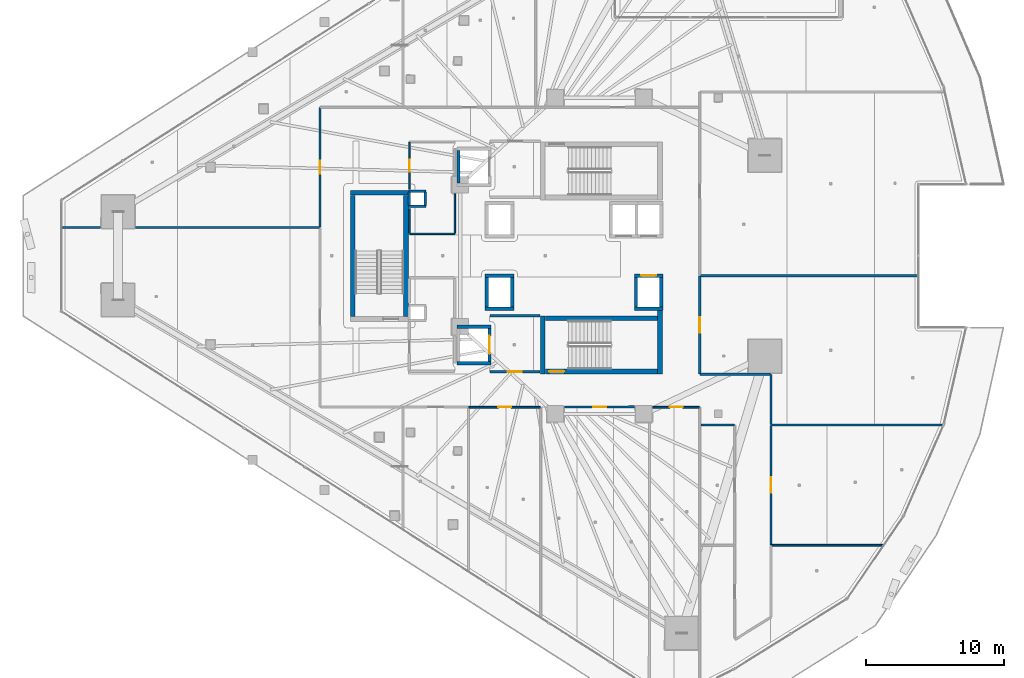
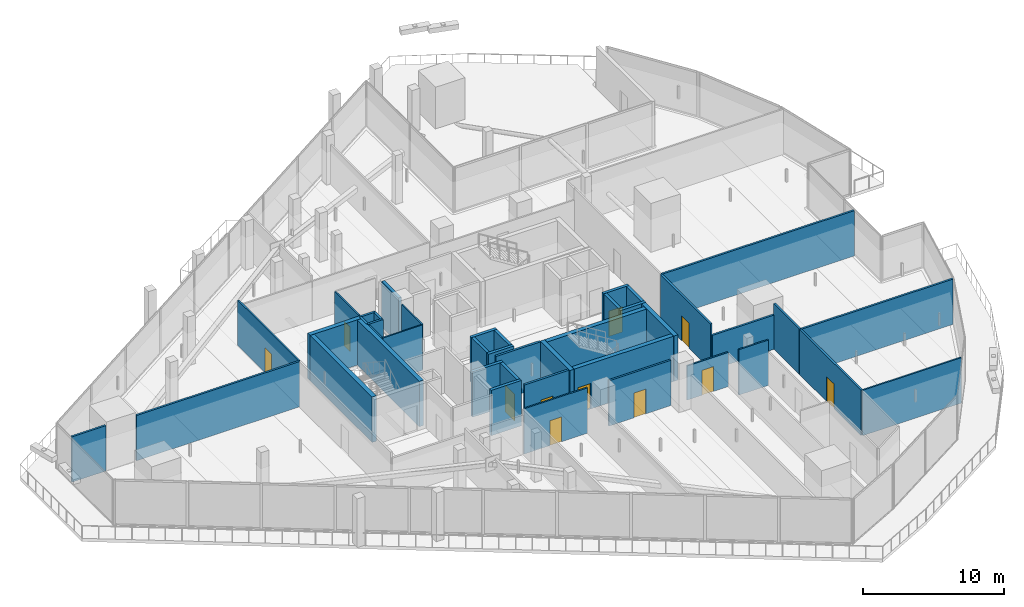
# One storey, part 32 of 47: 43 walls, 11 doors, 11 openings.
"""IFC4 building model written with IfcOpenShell, lengths in metres."""

from ifc_helpers import new_model, si_unit, direction, frame, frame_2d, origin, place, context, subcontext, project, spatial, rectangle, extrude, material, layer, layer_set, type_object, element, fill, save


model = new_model("IFC4")

# Units and contexts
model_context = context("Model", 3, precision=1e-05, world=origin(), true_north=direction((0.0, 1.0)))
body_context = subcontext(model_context, "Body", "Model", "MODEL_VIEW")
ifc_project = project(units=[si_unit("LENGTHUNIT", "METRE"), si_unit("AREAUNIT", "SQUARE_METRE"), si_unit("VOLUMEUNIT", "CUBIC_METRE"), si_unit("PLANEANGLEUNIT", "RADIAN"), si_unit("MASSUNIT", "GRAM", prefix="KILO")], contexts=[model_context])

# Site, building, storey
site_placement = place(None, origin())
site = spatial("IfcSite", under=ifc_project, at=site_placement, CompositionType="ELEMENT")
building_placement = place(site_placement, origin())
building = spatial("IfcBuilding", under=site, at=building_placement, Name="Qorvath Tower", CompositionType="ELEMENT")
storey_placement = place(building_placement, frame((0.0, 0.0, 74.39990234375)))
storey = spatial("IfcBuildingStorey", under=building, at=storey_placement, Name="L16", CompositionType="ELEMENT", Elevation=74.39990234375)

# Walls
ifc_material_1 = material(Name="Gypsum shaftliner on steel studs", Category="steel")
ifc_layer_1 = layer(ifc_material_1, 0.179931640625)
ifc_layer_set_1 = layer_set([ifc_layer_1], Name="FW-LOBBY")
wall_type_1 = type_object("IfcWallType", Name="FW-LOBBY", PredefinedType="PARTITIONING", material=ifc_layer_set_1)
for number, where, z_axis, x_axis, name in (
    (1, (-32.989990234375, 3.594970703125, 0.0), (0.0, 0.0, 1.0), (-1.0, 0.0, 0.0), "MEP Riser Shaft Enclosure Wall N-L16-S"),
    (2, (-34.260009765625, 4.675048828125, 0.0), (0.0, 0.0, 1.0), (1.0, 0.0, 0.0), "MEP Riser Shaft Enclosure Wall N-L16-N"),
):
    element("IfcWall", number, at=place(storey_placement, frame(where, z_axis=z_axis, x_axis=x_axis)), inside=storey, type_object=wall_type_1, Name=name, PredefinedType="PARTITIONING", context=body_context, shape_type="SweptSolid", body=[
        extrude(rectangle(XDim=1.27001953125, YDim=0.179931640625, at=frame_2d((0.635009765625, 0.0))), origin(), (0.0, 0.0, 1.0), 3.920166015625),
    ])
for number, where, z_axis, x_axis, name in (
    (3, (-34.205078125, 3.659912109375, 0.0), (0.0, 0.0, 1.0), (0.0, 1.0, 0.0), "MEP Riser Shaft Enclosure Wall N-L16-W"),
    (4, (-33.044921875, 4.610107421875, 0.0), (0.0, 0.0, 1.0), (0.0, -1.0, 0.0), "MEP Riser Shaft Enclosure Wall N-L16-E"),
):
    element("IfcWall", number, at=place(storey_placement, frame(where, z_axis=z_axis, x_axis=x_axis)), inside=storey, type_object=wall_type_1, Name=name, PredefinedType="PARTITIONING", context=body_context, shape_type="SweptSolid", body=[
        extrude(rectangle(XDim=0.9501953125, YDim=0.179931640625, at=frame_2d((0.47509765625, 0.0))), origin(), (0.0, 0.0, 1.0), 3.920166015625),
    ])

# Wall, opening, door
wall_1_placement = place(storey_placement, frame((-28.35498046875, -8.39990234375, 0.0), z_axis=(0.0, 0.0, 1.0), x_axis=(1.0, 0.0, 0.0)))
wall_1 = element("IfcWall", 5, at=wall_1_placement, inside=storey, type_object=wall_type_1, Name="Interior Partition IW-T1-L16-003", PredefinedType="PARTITIONING", context=body_context, shape_type="SweptSolid", body=[
    extrude(rectangle(XDim=3.6220703125, YDim=0.179931640625, at=frame_2d((1.81103515625, 0.0))), origin(), (0.0, 0.0, 1.0), 3.920166015625),
])
opening_1_placement = place(wall_1_placement, frame((1.31103515625, 0.0, 0.0)))
opening_1 = element("IfcOpeningElement", 6, at=opening_1_placement, cuts=wall_1, Name="Opening D-T1-L16-17", PredefinedType="OPENING", context=body_context, shape_type="SweptSolid", body=[
    extrude(rectangle(XDim=1.0, YDim=2.14990234375, at=frame_2d((0.5, 1.074951171875))), frame((0.0, 0.10009765625, 0.0), z_axis=(0.0, -1.0, 0.0), x_axis=(1.0, 0.0, 0.0)), (0.0, 0.0, 1.0), 0.199951171875),
])
ifc_material_2 = material(Name="Painted galvanised hollow metal", Category="steel")
door_type_1 = type_object("IfcDoorType", Name="FD-60", OperationType="NOTDEFINED", PredefinedType="DOOR", material=ifc_material_2)
door_1_placement = place(opening_1_placement, origin())
door_1 = element("IfcDoor", 7, at=door_1_placement, inside=storey, type_object=door_type_1, Name="Lobby Fire Service Elevator South Door D-T1-L16-17", OperationType="SINGLE_SWING_RIGHT", OverallHeight=2.14990234375, OverallWidth=1.0, PredefinedType="DOOR", context=body_context, shape_type="SweptSolid", body=[
    extrude(rectangle(XDim=1.0, YDim=2.14990234375, at=frame_2d((0.5, 1.074951171875))), frame((0.0, 0.02490234375, 0.0), z_axis=(0.0, -1.0, 0.0), x_axis=(1.0, 0.0, 0.0)), (0.0, 0.0, 1.0), 0.050048828125),
])
fill(opening_1, door_1)

# Wall
wall_2_placement = place(storey_placement, frame((-24.73291015625, -4.35009765625, 0.0), z_axis=(0.0, 0.0, 1.0), x_axis=(-1.0, 0.0, 0.0)))
element("IfcWall", 8, at=wall_2_placement, inside=storey, type_object=wall_type_1, Name="Interior Partition IW-T1-L16-004", PredefinedType="PARTITIONING", context=body_context, shape_type="SweptSolid", body=[
    extrude(rectangle(XDim=3.6220703125, YDim=0.179931640625, at=frame_2d((1.81103515625, 0.0))), origin(), (0.0, 0.0, 1.0), 3.920166015625),
])

# Wall, opening, door
ifc_material_3 = material(Name="Double acoustic gypsum board on steel studs", Category="steel")
ifc_layer_2 = layer(ifc_material_3, 0.159912109375)
ifc_layer_set_2 = layer_set([ifc_layer_2], Name="IW-ACOUSTIC-160")
wall_type_2 = type_object("IfcWallType", Name="IW-ACOUSTIC-160", PredefinedType="PARTITIONING", material=ifc_layer_set_2)
wall_3_placement = place(storey_placement, frame((-17.864990234375, -10.935302734375, 0.0), z_axis=(0.0, 0.0, 1.0), x_axis=(-0.999990187227, -0.004430061984, 0.0)))
wall_3 = element("IfcWall", 9, at=wall_3_placement, inside=storey, type_object=wall_type_2, Name="Interior Partition IW-T1-L16-028", PredefinedType="PARTITIONING", context=body_context, shape_type="SweptSolid", body=[
    extrude(rectangle(XDim=5.070068359375, YDim=0.159912109375, at=frame_2d((2.53515625, 0.0))), origin(), (0.0, 0.0, 1.0), 3.920166015625),
])
opening_2_placement = place(wall_3_placement, frame((2.06005859375, 0.0, 0.0)))
opening_2 = element("IfcOpeningElement", 10, at=opening_2_placement, cuts=wall_3, Name="Opening D-T1-L16-07", PredefinedType="OPENING", context=body_context, shape_type="SweptSolid", body=[
    extrude(rectangle(XDim=0.949951171875, YDim=2.14990234375, at=frame_2d((0.47509765625, 1.074951171875))), frame((0.0, 0.08984375, 0.0), z_axis=(0.0, -1.0, 0.0), x_axis=(1.0, 0.0, 0.0)), (0.0, 0.0, 1.0), 0.179931640625),
])
ifc_material_4 = material(Name="Solid-core American white oak veneer", Category="wood")
door_type_2 = type_object("IfcDoorType", Name="D-01", OperationType="NOTDEFINED", PredefinedType="DOOR", material=ifc_material_4)
door_2_placement = place(opening_2_placement, origin())
door_2 = element("IfcDoor", 11, at=door_2_placement, inside=storey, type_object=door_type_2, Name="L16-05 Staff Wellness Studio Door D-T1-L16-07", OperationType="SINGLE_SWING_RIGHT", OverallHeight=2.14990234375, OverallWidth=0.949951171875, PredefinedType="DOOR", context=body_context, shape_type="SweptSolid", body=[
    extrude(rectangle(XDim=0.949951171875, YDim=2.14990234375, at=frame_2d((0.47509765625, 1.074951171875))), frame((0.0, 0.02490234375, 0.0), z_axis=(0.0, -1.0, 0.0), x_axis=(1.0, 0.0, 0.0)), (0.0, 0.0, 1.0), 0.050048828125),
])
fill(opening_2, door_2)

# Wall
wall_4_placement = place(storey_placement, frame((4.4375, -12.249267578125, 0.0), z_axis=(0.0, 0.0, 1.0), x_axis=(-1.0, 0.0, 0.0)))
element("IfcWall", 12, at=wall_4_placement, inside=storey, type_object=wall_type_2, Name="Interior Partition IW-T1-L16-037", PredefinedType="PARTITIONING", context=body_context, shape_type="SweptSolid", body=[
    extrude(rectangle(XDim=12.404296875, YDim=0.159912109375, at=frame_2d((6.2021484375, 0.0))), origin(), (0.0, 0.0, 1.0), 3.920166015625),
])

# Wall, opening, door
wall_5_placement = place(storey_placement, frame((-7.991943359375, -12.2744140625, 0.0), z_axis=(0.0, 0.0, 1.0), x_axis=(0.0, -1.0, 0.0)))
wall_5 = element("IfcWall", 13, at=wall_5_placement, inside=storey, type_object=wall_type_2, Name="Interior Partition IW-T1-L16-038", PredefinedType="PARTITIONING", context=body_context, shape_type="SweptSolid", body=[
    extrude(rectangle(XDim=8.658447265625, YDim=0.159912109375, at=frame_2d((4.3291015625, 0.0))), origin(), (0.0, 0.0, 1.0), 3.920166015625),
])
opening_3_placement = place(wall_5_placement, frame((3.779296875, 0.0, 0.0)))
opening_3 = element("IfcOpeningElement", 14, at=opening_3_placement, cuts=wall_5, Name="Opening D-T1-L16-10", PredefinedType="OPENING", context=body_context, shape_type="SweptSolid", body=[
    extrude(rectangle(XDim=1.10009765625, YDim=2.14990234375, at=frame_2d((0.550048828125, 1.074951171875))), frame((0.0, 0.08984375, 0.0), z_axis=(0.0, -1.0, 0.0), x_axis=(1.0, 0.0, 0.0)), (0.0, 0.0, 1.0), 0.179931640625),
])
ifc_material_5 = material(Name="Anodised aluminium acoustic framed glass", Category="aluminium")
door_type_3 = type_object("IfcDoorType", Name="D-03", OperationType="NOTDEFINED", PredefinedType="DOOR", material=ifc_material_5)
door_3_placement = place(opening_3_placement, origin())
door_3 = element("IfcDoor", 15, at=door_3_placement, inside=storey, type_object=door_type_3, Name="L16-08 Digital Visualization Suite Door D-T1-L16-10", OperationType="SINGLE_SWING_LEFT", OverallHeight=2.14990234375, OverallWidth=1.10009765625, PredefinedType="DOOR", context=body_context, shape_type="SweptSolid", body=[
    extrude(rectangle(XDim=1.10009765625, YDim=2.14990234375, at=frame_2d((0.550048828125, 1.074951171875))), frame((0.0, 0.02490234375, 0.0), z_axis=(0.0, -1.0, 0.0), x_axis=(1.0, 0.0, 0.0)), (0.0, 0.0, 1.0), 0.050048828125),
])
fill(opening_3, door_3)

# Wall
wall_6_placement = place(storey_placement, frame((2.61572265625, -1.44140625, 0.0), z_axis=(0.0, 0.0, 1.0), x_axis=(-1.0, 0.0, 0.0)))
element("IfcWall", 16, at=wall_6_placement, inside=storey, type_object=wall_type_2, Name="Interior Partition IW-T1-L16-041", PredefinedType="PARTITIONING", context=body_context, shape_type="SweptSolid", body=[
    extrude(rectangle(XDim=15.73291015625, YDim=0.159912109375, at=frame_2d((7.866455078125, 0.0))), origin(), (0.0, 0.0, 1.0), 3.920166015625),
])

# Wall, opening, door
wall_7_placement = place(storey_placement, frame((-13.14208984375, -1.46630859375, 0.0), z_axis=(0.0, 0.0, 1.0), x_axis=(0.0, -1.0, 0.0)))
wall_7 = element("IfcWall", 17, at=wall_7_placement, inside=storey, type_object=wall_type_2, Name="Interior Partition IW-T1-L16-042", PredefinedType="PARTITIONING", context=body_context, shape_type="SweptSolid", body=[
    extrude(rectangle(XDim=7.080810546875, YDim=0.159912109375, at=frame_2d((3.54052734375, 0.0))), origin(), (0.0, 0.0, 1.0), 3.920166015625),
])
opening_4_placement = place(wall_7_placement, frame((2.990478515625, 0.0, 0.0)))
opening_4 = element("IfcOpeningElement", 18, at=opening_4_placement, cuts=wall_7, Name="Opening D-T1-L16-12", PredefinedType="OPENING", context=body_context, shape_type="SweptSolid", body=[
    extrude(rectangle(XDim=1.10009765625, YDim=2.14990234375, at=frame_2d((0.550048828125, 1.074951171875))), frame((0.0, 0.08984375, 0.0), z_axis=(0.0, -1.0, 0.0), x_axis=(1.0, 0.0, 0.0)), (0.0, 0.0, 1.0), 0.179931640625),
])
door_4_placement = place(opening_4_placement, origin())
door_4 = element("IfcDoor", 19, at=door_4_placement, inside=storey, type_object=door_type_3, Name="L16-10 Team Project Office Door D-T1-L16-12", OperationType="SINGLE_SWING_LEFT", OverallHeight=2.14990234375, OverallWidth=1.10009765625, PredefinedType="DOOR", context=body_context, shape_type="SweptSolid", body=[
    extrude(rectangle(XDim=1.10009765625, YDim=2.14990234375, at=frame_2d((0.550048828125, 1.074951171875))), frame((0.0, 0.02490234375, 0.0), z_axis=(0.0, -1.0, 0.0), x_axis=(1.0, 0.0, 0.0)), (0.0, 0.0, 1.0), 0.050048828125),
])
fill(opening_4, door_4)

# Walls
wall_8_placement = place(storey_placement, frame((-13.1171875, -8.572021484375, 0.0), z_axis=(0.0, 0.0, 1.0), x_axis=(1.0, 0.0, 0.0)))
element("IfcWall", 20, at=wall_8_placement, inside=storey, type_object=wall_type_2, Name="Interior Partition IW-T1-L16-043", PredefinedType="PARTITIONING", context=body_context, shape_type="SweptSolid", body=[
    extrude(rectangle(XDim=5.100341796875, YDim=0.159912109375, at=frame_2d((2.55029296875, 0.0))), origin(), (0.0, 0.0, 1.0), 2.95703125),
])
wall_9_placement = place(storey_placement, frame((-7.991943359375, -8.596923828125, 0.0), z_axis=(0.0, 0.0, 1.0), x_axis=(0.0, -1.0, 0.0)))
element("IfcWall", 21, at=wall_9_placement, inside=storey, type_object=wall_type_2, Name="Interior Partition IW-T1-L16-044", PredefinedType="PARTITIONING", context=body_context, shape_type="SweptSolid", body=[
    extrude(rectangle(XDim=3.619384765625, YDim=0.159912109375, at=frame_2d((1.8095703125, 0.0))), origin(), (0.0, 0.0, 1.0), 3.920166015625),
])
wall_10_placement = place(storey_placement, frame((-40.68310546875, 2.06201171875, 0.0), z_axis=(0.0, 0.0, 1.0), x_axis=(-1.0, 0.0, 0.0)))
element("IfcWall", 22, at=wall_10_placement, inside=storey, type_object=wall_type_2, Name="Interior Partition IW-T1-L16-048", PredefinedType="PARTITIONING", context=body_context, shape_type="SweptSolid", body=[
    extrude(rectangle(XDim=13.334716796875, YDim=0.159912109375, at=frame_2d((6.66748046875, 0.0))), origin(), (0.0, 0.0, 1.0), 3.920166015625),
])
wall_11_placement = place(storey_placement, frame((-56.5478515625, 2.06201171875, 0.0), z_axis=(0.0, 0.0, 1.0), x_axis=(-1.0, 0.0, 0.0)))
element("IfcWall", 23, at=wall_11_placement, inside=storey, type_object=wall_type_2, Name="Interior Partition IW-T1-L16-049", PredefinedType="PARTITIONING", context=body_context, shape_type="SweptSolid", body=[
    extrude(rectangle(XDim=2.767822265625, YDim=0.159912109375, at=frame_2d((1.3837890625, 0.0))), origin(), (0.0, 0.0, 1.0), 3.920166015625),
])

# Wall, opening, door
ifc_material_6 = material(Name="Gypsum board on metal studs with mineral wool", Category="gypsum")
ifc_layer_3 = layer(ifc_material_6, 0.125)
ifc_layer_set_3 = layer_set([ifc_layer_3], Name="IW-PART-125")
wall_type_3 = type_object("IfcWallType", Name="IW-PART-125", PredefinedType="PARTITIONING", material=ifc_layer_set_3)
wall_12_placement = place(storey_placement, frame((-24.691650390625, -10.9580078125, 0.0), z_axis=(0.0, 0.0, 1.0), x_axis=(-1.0, 0.0, 0.0)))
wall_12 = element("IfcWall", 24, at=wall_12_placement, inside=storey, type_object=wall_type_3, Name="Interior Partition IW-T1-L16-027", PredefinedType="PARTITIONING", context=body_context, shape_type="SweptSolid", body=[
    extrude(rectangle(XDim=5.171630859375, YDim=0.125, at=frame_2d((2.5859375, 0.0))), origin(), (0.0, 0.0, 1.0), 3.920166015625),
])
opening_5_placement = place(wall_12_placement, frame((2.11083984375, 0.0, 0.0)))
opening_5 = element("IfcOpeningElement", 25, at=opening_5_placement, cuts=wall_12, Name="Opening D-T1-L16-06", PredefinedType="OPENING", context=body_context, shape_type="SweptSolid", body=[
    extrude(rectangle(XDim=0.949951171875, YDim=2.14990234375, at=frame_2d((0.47509765625, 1.074951171875))), frame((0.0, 0.072509765625, 0.0), z_axis=(0.0, -1.0, 0.0), x_axis=(1.0, 0.0, 0.0)), (0.0, 0.0, 1.0), 0.14501953125),
])
door_5_placement = place(opening_5_placement, origin())
door_5 = element("IfcDoor", 26, at=door_5_placement, inside=storey, type_object=door_type_2, Name="L16-04 Project Collaboration Workspace Door D-T1-L16-06", OperationType="SINGLE_SWING_LEFT", OverallHeight=2.14990234375, OverallWidth=0.949951171875, PredefinedType="DOOR", context=body_context, shape_type="SweptSolid", body=[
    extrude(rectangle(XDim=0.949951171875, YDim=2.14990234375, at=frame_2d((0.47509765625, 1.074951171875))), frame((0.0, 0.02490234375, 0.0), z_axis=(0.0, -1.0, 0.0), x_axis=(1.0, 0.0, 0.0)), (0.0, 0.0, 1.0), 0.050048828125),
])
fill(opening_5, door_5)

wall_13_placement = place(storey_placement, frame((-13.1748046875, -10.9580078125, 0.0), z_axis=(0.0, 0.0, 1.0), x_axis=(-1.0, 0.0, 0.0)))
wall_13 = element("IfcWall", 27, at=wall_13_placement, inside=storey, type_object=wall_type_3, Name="Interior Partition IW-T1-L16-031", PredefinedType="PARTITIONING", context=body_context, shape_type="SweptSolid", body=[
    extrude(rectangle(XDim=3.360107421875, YDim=0.125, at=frame_2d((1.68017578125, 0.0))), origin(), (0.0, 0.0, 1.0), 2.95703125),
])
opening_6_placement = place(wall_13_placement, frame((1.205078125, 0.0, 0.0)))
opening_6 = element("IfcOpeningElement", 28, at=opening_6_placement, cuts=wall_13, Name="Opening D-T1-L16-08", PredefinedType="OPENING", context=body_context, shape_type="SweptSolid", body=[
    extrude(rectangle(XDim=0.949951171875, YDim=2.14990234375, at=frame_2d((0.47509765625, 1.074951171875))), frame((0.0, 0.072509765625, 0.0), z_axis=(0.0, -1.0, 0.0), x_axis=(1.0, 0.0, 0.0)), (0.0, 0.0, 1.0), 0.14501953125),
])
door_6_placement = place(opening_6_placement, origin())
door_6 = element("IfcDoor", 29, at=door_6_placement, inside=storey, type_object=door_type_2, Name="L16-06 Executive Partner Office Door D-T1-L16-08", OperationType="SINGLE_SWING_LEFT", OverallHeight=2.14990234375, OverallWidth=0.949951171875, PredefinedType="DOOR", context=body_context, shape_type="SweptSolid", body=[
    extrude(rectangle(XDim=0.949951171875, YDim=2.14990234375, at=frame_2d((0.47509765625, 1.074951171875))), frame((0.0, 0.02490234375, 0.0), z_axis=(0.0, -1.0, 0.0), x_axis=(1.0, 0.0, 0.0)), (0.0, 0.0, 1.0), 0.050048828125),
])
fill(opening_6, door_6)

# Walls
wall_14_placement = place(storey_placement, frame((0.101318359375, -20.965576171875, 0.0), z_axis=(0.0, 0.0, 1.0), x_axis=(-1.0, 0.0, 0.0)))
element("IfcWall", 30, at=wall_14_placement, inside=storey, type_object=wall_type_3, Name="Interior Partition IW-T1-L16-032", PredefinedType="PARTITIONING", context=body_context, shape_type="SweptSolid", body=[
    extrude(rectangle(XDim=8.068115234375, YDim=0.125, at=frame_2d((4.0341796875, 0.0))), origin(), (0.0, 0.0, 1.0), 3.920166015625),
])
wall_15_placement = place(storey_placement, frame((-10.6328125, -12.249267578125, 0.0), z_axis=(0.0, 0.0, 1.0), x_axis=(-1.0, 0.0, 0.0)))
element("IfcWall", 31, at=wall_15_placement, inside=storey, type_object=wall_type_3, Name="Interior Partition IW-T1-L16-040", PredefinedType="PARTITIONING", context=body_context, shape_type="SweptSolid", body=[
    extrude(rectangle(XDim=2.406982421875, YDim=0.125, at=frame_2d((1.20361328125, 0.0))), origin(), (0.0, 0.0, 1.0), 3.920166015625),
])

# Wall, opening, door
wall_16_placement = place(storey_placement, frame((-40.657958984375, 2.09521484375, 0.0), z_axis=(0.0, 0.0, 1.0), x_axis=(0.0, 1.0, 0.0)))
wall_16 = element("IfcWall", 32, at=wall_16_placement, inside=storey, type_object=wall_type_3, Name="Interior Partition IW-T1-L16-050", PredefinedType="PARTITIONING", context=body_context, shape_type="SweptSolid", body=[
    extrude(rectangle(XDim=8.637939453125, YDim=0.125, at=frame_2d((4.31884765625, 0.0))), origin(), (0.0, 0.0, 1.0), 3.920166015625),
])
opening_7_placement = place(wall_16_placement, frame((3.843994140625, 0.0, 0.0)))
opening_7 = element("IfcOpeningElement", 33, at=opening_7_placement, cuts=wall_16, Name="Opening D-T1-L16-15", PredefinedType="OPENING", context=body_context, shape_type="SweptSolid", body=[
    extrude(rectangle(XDim=0.949951171875, YDim=2.14990234375, at=frame_2d((0.47509765625, 1.074951171875))), frame((0.0, 0.072509765625, 0.0), z_axis=(0.0, -1.0, 0.0), x_axis=(1.0, 0.0, 0.0)), (0.0, 0.0, 1.0), 0.14501953125),
])
door_7_placement = place(opening_7_placement, origin())
door_7 = element("IfcDoor", 34, at=door_7_placement, inside=storey, type_object=door_type_2, Name="L16-13 Focus Collaboration Pod Door D-T1-L16-15", OperationType="SINGLE_SWING_RIGHT", OverallHeight=2.14990234375, OverallWidth=0.949951171875, PredefinedType="DOOR", context=body_context, shape_type="SweptSolid", body=[
    extrude(rectangle(XDim=0.949951171875, YDim=2.14990234375, at=frame_2d((0.47509765625, 1.074951171875))), frame((0.0, 0.02490234375, 0.0), z_axis=(0.0, -1.0, 0.0), x_axis=(1.0, 0.0, 0.0)), (0.0, 0.0, 1.0), 0.050048828125),
])
fill(opening_7, door_7)

# Walls
ifc_material_7 = material(Name="Moisture-resistant cement board on metal studs", Category="gypsum")
ifc_layer_4 = layer(ifc_material_7, 0.110107421875)
ifc_layer_set_4 = layer_set([ifc_layer_4], Name="IW-WC-110")
wall_type_4 = type_object("IfcWallType", Name="IW-WC-110", PredefinedType="PARTITIONING", material=ifc_layer_set_4)
wall_17_placement = place(storey_placement, frame((-34.15478515625, 1.60009765625, 0.0), z_axis=(0.0, 0.0, 1.0), x_axis=(1.0, 0.0, 0.0)))
element("IfcWall", 35, at=wall_17_placement, inside=storey, type_object=wall_type_4, Name="Interior Partition IW-T1-L16-005", PredefinedType="PARTITIONING", context=body_context, shape_type="SweptSolid", body=[
    extrude(rectangle(XDim=3.25, YDim=0.110107421875, at=frame_2d((1.625, 0.0))), origin(), (0.0, 0.0, 1.0), 3.920166015625),
])
wall_18_placement = place(storey_placement, frame((-30.8798828125, 1.625, 0.0), z_axis=(0.0, 0.0, 1.0), x_axis=(0.0, 1.0, 0.0)))
element("IfcWall", 36, at=wall_18_placement, inside=storey, type_object=wall_type_4, Name="Interior Partition IW-T1-L16-006", PredefinedType="PARTITIONING", context=body_context, shape_type="SweptSolid", body=[
    extrude(rectangle(XDim=2.860107421875, YDim=0.110107421875, at=frame_2d((1.43017578125, 0.0))), origin(), (0.0, 0.0, 1.0), 3.920166015625),
])

# Wall, opening, door
wall_19_placement = place(storey_placement, frame((-34.179931640625, 8.22509765625, 0.0), z_axis=(0.0, 0.0, 1.0), x_axis=(0.0, -1.0, 0.0)))
wall_19 = element("IfcWall", 37, at=wall_19_placement, inside=storey, type_object=wall_type_4, Name="Interior Partition IW-T1-L16-009", PredefinedType="PARTITIONING", context=body_context, shape_type="SweptSolid", body=[
    extrude(rectangle(XDim=3.385009765625, YDim=0.110107421875, at=frame_2d((1.6923828125, 0.0))), origin(), (0.0, 0.0, 1.0), 3.920166015625),
])
opening_8_placement = place(wall_19_placement, frame((1.25244140625, 0.0, 0.0)))
opening_8 = element("IfcOpeningElement", 38, at=opening_8_placement, cuts=wall_19, Name="Opening D-T1-L16-01", PredefinedType="OPENING", context=body_context, shape_type="SweptSolid", body=[
    extrude(rectangle(XDim=0.8798828125, YDim=2.10009765625, at=frame_2d((0.43994140625, 1.050048828125))), frame((0.0, 0.06494140625, 0.0), z_axis=(0.0, -1.0, 0.0), x_axis=(1.0, 0.0, 0.0)), (0.0, 0.0, 1.0), 0.130126953125),
])
ifc_material_8 = material(Name="Solid-core oak with acoustic drop seal", Category="wood")
door_type_4 = type_object("IfcDoorType", Name="D-02", OperationType="NOTDEFINED", PredefinedType="DOOR", material=ifc_material_8)
door_8_placement = place(opening_8_placement, origin())
door_8 = element("IfcDoor", 39, at=door_8_placement, inside=storey, type_object=door_type_4, Name="Accessible WC North L16 Door D-T1-L16-01", OperationType="SINGLE_SWING_RIGHT", OverallHeight=2.10009765625, OverallWidth=0.8798828125, PredefinedType="DOOR", context=body_context, shape_type="SweptSolid", body=[
    extrude(rectangle(XDim=0.8798828125, YDim=2.10009765625, at=frame_2d((0.43994140625, 1.050048828125))), frame((0.0, 0.02490234375, 0.0), z_axis=(0.0, -1.0, 0.0), x_axis=(1.0, 0.0, 0.0)), (0.0, 0.0, 1.0), 0.050048828125),
])
fill(opening_8, door_8)

# Walls
wall_20_placement = place(storey_placement, frame((-34.179931640625, 3.429931640625, 0.0), z_axis=(0.0, 0.0, 1.0), x_axis=(0.0, -1.0, 0.0)))
element("IfcWall", 40, at=wall_20_placement, inside=storey, type_object=wall_type_4, Name="Interior Partition IW-T1-L16-010", PredefinedType="PARTITIONING", context=body_context, shape_type="SweptSolid", body=[
    extrude(rectangle(XDim=1.804931640625, YDim=0.110107421875, at=frame_2d((0.90234375, 0.0))), origin(), (0.0, 0.0, 1.0), 3.920166015625),
])
ifc_material_9 = material(Name="Concrete C60/75", Category="concrete")
ifc_layer_5 = layer(ifc_material_9, 0.260009765625)
ifc_layer_set_5 = layer_set([ifc_layer_5], Name="SW-SHAFT")
wall_type_5 = type_object("IfcWallType", Name="SW-SHAFT", PredefinedType="SHEAR", material=ifc_layer_set_5)
wall_21_placement = place(storey_placement, frame((-30.6201171875, 5.261962890625, 0.0), z_axis=(0.0, 0.0, 1.0), x_axis=(0.0, 1.0, 0.0)))
element("IfcWall", 41, at=wall_21_placement, inside=storey, type_object=wall_type_5, Name="Hoistway Wall FSAE-1 L16 W", PredefinedType="SHEAR", context=body_context, shape_type="SweptSolid", body=[
    extrude(rectangle(XDim=2.3759765625, YDim=0.239990234375, at=frame_2d((1.18798828125, 0.0))), origin(), (0.0, 0.0, 1.0), 3.920166015625),
])
for number, where, z_axis, x_axis, name in (
    (42, (-28.260009765625, -7.77001953125, 0.0), (0.0, 0.0, 1.0), (-1.0, 0.0, 0.0), "Hoistway Wall FSAE-2 L16 S"),
    (43, (-30.739990234375, -5.1298828125, 0.0), (0.0, 0.0, 1.0), (1.0, 0.0, 0.0), "Hoistway Wall FSAE-2 L16 N"),
):
    element("IfcWall", number, at=place(storey_placement, frame(where, z_axis=z_axis, x_axis=x_axis)), inside=storey, type_object=wall_type_5, Name=name, PredefinedType="SHEAR", context=body_context, shape_type="SweptSolid", body=[
        extrude(rectangle(XDim=2.47998046875, YDim=0.239990234375, at=frame_2d((1.239990234375, 0.0))), origin(), (0.0, 0.0, 1.0), 3.920166015625),
    ])

# Wall, opening, door
wall_22_placement = place(storey_placement, frame((-28.3798828125, -5.261962890625, 0.0), z_axis=(0.0, 0.0, 1.0), x_axis=(0.0, -1.0, 0.0)))
wall_22 = element("IfcWall", 44, at=wall_22_placement, inside=storey, type_object=wall_type_5, Name="Hoistway Wall FSAE-2 L16 E", PredefinedType="SHEAR", context=body_context, shape_type="SweptSolid", body=[
    extrude(rectangle(XDim=2.3759765625, YDim=0.239990234375, at=frame_2d((1.18798828125, 0.0))), origin(), (0.0, 0.0, 1.0), 3.920166015625),
])
opening_9_placement = place(wall_22_placement, frame((0.5380859375, 0.0, 0.0)))
opening_9 = element("IfcOpeningElement", 45, at=opening_9_placement, cuts=wall_22, Name="Opening LD-FSAE-2-L16", PredefinedType="OPENING", context=body_context, shape_type="SweptSolid", body=[
    extrude(rectangle(XDim=1.300048828125, YDim=2.300048828125, at=frame_2d((0.64990234375, 1.14990234375))), frame((0.0, 0.1298828125, 0.0), z_axis=(0.0, -1.0, 0.0), x_axis=(1.0, 0.0, 0.0)), (0.0, 0.0, 1.0), 0.260009765625),
])
ifc_material_10 = material(Name="Brushed stainless steel AISI 316", Category="steel")
door_type_5 = type_object("IfcDoorType", Name="LD-02", OperationType="NOTDEFINED", PredefinedType="DOOR", material=ifc_material_10)
door_9_placement = place(opening_9_placement, origin())
door_9 = element("IfcDoor", 46, at=door_9_placement, inside=storey, type_object=door_type_5, Name="Elevator Landing Sliding Door LD-FSAE-2-L16", OperationType="DOUBLE_DOOR_SLIDING", OverallHeight=2.300048828125, OverallWidth=1.300048828125, PredefinedType="DOOR", context=body_context, shape_type="SweptSolid", body=[
    extrude(rectangle(XDim=1.300048828125, YDim=2.300048828125, at=frame_2d((0.64990234375, 1.14990234375))), frame((0.0, 0.02490234375, 0.0), z_axis=(0.0, -1.0, 0.0), x_axis=(1.0, 0.0, 0.0)), (0.0, 0.0, 1.0), 0.050048828125),
])
fill(opening_9, door_9)

# Walls
for number, where, z_axis, x_axis, name in (
    (47, (-26.610107421875, -3.820068359375, 0.0), (0.0, 0.0, 1.0), (-1.0, 0.0, 0.0), "Hoistway Wall PS-2 L16 S"),
    (48, (-28.68994140625, -1.429931640625, 0.0), (0.0, 0.0, 1.0), (1.0, 0.0, 0.0), "Hoistway Wall PS-2 L16 N"),
):
    element("IfcWall", number, at=place(storey_placement, frame(where, z_axis=z_axis, x_axis=x_axis)), inside=storey, type_object=wall_type_5, Name=name, PredefinedType="SHEAR", context=body_context, shape_type="SweptSolid", body=[
        extrude(rectangle(XDim=2.079833984375, YDim=0.239990234375, at=frame_2d((1.0400390625, 0.0))), origin(), (0.0, 0.0, 1.0), 3.920166015625),
    ])
for number, where, z_axis, x_axis, name in (
    (49, (-28.570068359375, -3.68798828125, 0.0), (0.0, 0.0, 1.0), (0.0, 1.0, 0.0), "Hoistway Wall PS-2 L16 W"),
    (50, (-26.72998046875, -1.56201171875, 0.0), (0.0, 0.0, 1.0), (0.0, -1.0, 0.0), "Hoistway Wall PS-2 L16 E"),
):
    element("IfcWall", number, at=place(storey_placement, frame(where, z_axis=z_axis, x_axis=x_axis)), inside=storey, type_object=wall_type_5, Name=name, PredefinedType="SHEAR", context=body_context, shape_type="SweptSolid", body=[
        extrude(rectangle(XDim=2.1259765625, YDim=0.239990234375, at=frame_2d((1.06298828125, 0.0))), origin(), (0.0, 0.0, 1.0), 3.920166015625),
    ])
wall_23_placement = place(storey_placement, frame((-15.81005859375, -3.820068359375, 0.0), z_axis=(0.0, 0.0, 1.0), x_axis=(-1.0, 0.0, 0.0)))
element("IfcWall", 51, at=wall_23_placement, inside=storey, type_object=wall_type_5, Name="Hoistway Wall PL-2 L16 S", PredefinedType="SHEAR", context=body_context, shape_type="SweptSolid", body=[
    extrude(rectangle(XDim=2.079833984375, YDim=0.239990234375, at=frame_2d((1.0400390625, 0.0))), origin(), (0.0, 0.0, 1.0), 3.920166015625),
])

# Wall, opening, door
wall_24_placement = place(storey_placement, frame((-17.889892578125, -1.429931640625, 0.0), z_axis=(0.0, 0.0, 1.0), x_axis=(1.0, 0.0, 0.0)))
wall_24 = element("IfcWall", 52, at=wall_24_placement, inside=storey, type_object=wall_type_5, Name="Hoistway Wall PL-2 L16 N", PredefinedType="SHEAR", context=body_context, shape_type="SweptSolid", body=[
    extrude(rectangle(XDim=2.079833984375, YDim=0.239990234375, at=frame_2d((1.0400390625, 0.0))), origin(), (0.0, 0.0, 1.0), 3.920166015625),
])
opening_10_placement = place(wall_24_placement, frame((0.48974609375, 0.0, 0.0)))
opening_10 = element("IfcOpeningElement", 53, at=opening_10_placement, cuts=wall_24, Name="Opening LD-PL-2-L16", PredefinedType="OPENING", context=body_context, shape_type="SweptSolid", body=[
    extrude(rectangle(XDim=1.10009765625, YDim=2.199951171875, at=frame_2d((0.550048828125, 1.10009765625))), frame((0.0, 0.1298828125, 0.0), z_axis=(0.0, -1.0, 0.0), x_axis=(1.0, 0.0, 0.0)), (0.0, 0.0, 1.0), 0.260009765625),
])
ifc_material_11 = material(Name="Brushed stainless steel AISI 316", Category="steel")
door_type_6 = type_object("IfcDoorType", Name="LD-01", OperationType="NOTDEFINED", PredefinedType="DOOR", material=ifc_material_11)
door_10_placement = place(opening_10_placement, origin())
door_10 = element("IfcDoor", 54, at=door_10_placement, inside=storey, type_object=door_type_6, Name="Elevator Landing Sliding Door LD-PL-2-L16", OperationType="DOUBLE_DOOR_SLIDING", OverallHeight=2.199951171875, OverallWidth=1.10009765625, PredefinedType="DOOR", context=body_context, shape_type="SweptSolid", body=[
    extrude(rectangle(XDim=1.10009765625, YDim=2.199951171875, at=frame_2d((0.550048828125, 1.10009765625))), frame((0.0, 0.02490234375, 0.0), z_axis=(0.0, -1.0, 0.0), x_axis=(1.0, 0.0, 0.0)), (0.0, 0.0, 1.0), 0.050048828125),
])
fill(opening_10, door_10)

# Walls
for number, where, z_axis, x_axis, name in (
    (55, (-17.77001953125, -3.68798828125, 0.0), (0.0, 0.0, 1.0), (0.0, 1.0, 0.0), "Hoistway Wall PL-2 L16 W"),
    (56, (-15.929931640625, -1.56201171875, 0.0), (0.0, 0.0, 1.0), (0.0, -1.0, 0.0), "Hoistway Wall PL-2 L16 E"),
):
    element("IfcWall", number, at=place(storey_placement, frame(where, z_axis=z_axis, x_axis=x_axis)), inside=storey, type_object=wall_type_5, Name=name, PredefinedType="SHEAR", context=body_context, shape_type="SweptSolid", body=[
        extrude(rectangle(XDim=2.1259765625, YDim=0.239990234375, at=frame_2d((1.06298828125, 0.0))), origin(), (0.0, 0.0, 1.0), 3.920166015625),
    ])
ifc_material_12 = material(Name="Concrete C60/75", Category="concrete")
ifc_layer_6 = layer(ifc_material_12, 0.35009765625)
ifc_layer_set_6 = layer_set([ifc_layer_6], Name="SW-STAIR")
wall_type_6 = type_object("IfcWallType", Name="SW-STAIR", PredefinedType="SHEAR", material=ifc_layer_set_6)
wall_25_placement = place(storey_placement, frame((-24.52490234375, -4.340087890625, 0.0), z_axis=(0.0, 0.0, 1.0), x_axis=(0.0, -1.0, 0.0)))
element("IfcWall", 57, at=wall_25_placement, inside=storey, type_object=wall_type_6, Name="Stair TS2 Shear Wall L16 NEAR", PredefinedType="SHEAR", context=body_context, shape_type="SweptSolid", body=[
    extrude(rectangle(XDim=4.2099609375, YDim=0.35009765625, at=frame_2d((2.10498046875, 0.0))), origin(), (0.0, 0.0, 1.0), 3.920166015625),
])
wall_26_placement = place(storey_placement, frame((-16.02490234375, -8.550048828125, 0.0), z_axis=(0.0, 0.0, 1.0), x_axis=(0.0, 1.0, 0.0)))
element("IfcWall", 58, at=wall_26_placement, inside=storey, type_object=wall_type_6, Name="Stair TS2 Shear Wall L16 FAR", PredefinedType="SHEAR", context=body_context, shape_type="SweptSolid", body=[
    extrude(rectangle(XDim=4.610107421875, YDim=0.35009765625, at=frame_2d((2.30517578125, 0.0))), origin(), (0.0, 0.0, 1.0), 3.920166015625),
])

# Wall, opening, door
wall_27_placement = place(storey_placement, frame((-24.3349609375, -8.375, 0.0), z_axis=(0.0, 0.0, 1.0), x_axis=(1.0, 0.0, 0.0)))
wall_27 = element("IfcWall", 59, at=wall_27_placement, inside=storey, type_object=wall_type_6, Name="Stair TS2 Shear Wall L16 LEFT", PredefinedType="SHEAR", context=body_context, shape_type="SweptSolid", body=[
    extrude(rectangle(XDim=8.119873046875, YDim=0.35009765625, at=frame_2d((4.06005859375, 0.0))), origin(), (0.0, 0.0, 1.0), 3.920166015625),
])
opening_11_placement = place(wall_27_placement, frame((0.280029296875, 0.0, 0.0)))
opening_11 = element("IfcOpeningElement", 60, at=opening_11_placement, cuts=wall_27, Name="Opening D-TS2-L16", PredefinedType="OPENING", context=body_context, shape_type="SweptSolid", body=[
    extrude(rectangle(XDim=1.10009765625, YDim=2.199951171875, at=frame_2d((0.550048828125, 1.10009765625))), frame((0.0, 0.18505859375, 0.0), z_axis=(0.0, -1.0, 0.0), x_axis=(1.0, 0.0, 0.0)), (0.0, 0.0, 1.0), 0.3701171875),
])
ifc_material_13 = material(Name="Painted galvanised hollow metal", Category="steel")
door_type_7 = type_object("IfcDoorType", Name="FD-90", OperationType="NOTDEFINED", PredefinedType="DOOR", material=ifc_material_13)
door_11_placement = place(opening_11_placement, origin())
door_11 = element("IfcDoor", 61, at=door_11_placement, inside=storey, type_object=door_type_7, Name="Stair TS2 Fire Door L16", OperationType="SINGLE_SWING_LEFT", OverallHeight=2.199951171875, OverallWidth=1.10009765625, PredefinedType="DOOR", context=body_context, shape_type="SweptSolid", body=[
    extrude(rectangle(XDim=1.10009765625, YDim=2.199951171875, at=frame_2d((0.550048828125, 1.10009765625))), frame((0.0, 0.02490234375, 0.0), z_axis=(0.0, -1.0, 0.0), x_axis=(1.0, 0.0, 0.0)), (0.0, 0.0, 1.0), 0.050048828125),
])
fill(opening_11, door_11)

# Walls
wall_28_placement = place(storey_placement, frame((-16.215087890625, -4.514892578125, 0.0), z_axis=(0.0, 0.0, 1.0), x_axis=(-1.0, 0.0, 0.0)))
element("IfcWall", 62, at=wall_28_placement, inside=storey, type_object=wall_type_6, Name="Stair TS2 Shear Wall L16 RIGHT", PredefinedType="SHEAR", context=body_context, shape_type="SweptSolid", body=[
    extrude(rectangle(XDim=8.119873046875, YDim=0.35009765625, at=frame_2d((4.06005859375, 0.0))), origin(), (0.0, 0.0, 1.0), 3.920166015625),
])
wall_29_placement = place(storey_placement, frame((-34.25, 4.574951171875, 0.0), z_axis=(0.0, 0.0, 1.0), x_axis=(-1.0, 0.0, 0.0)))
element("IfcWall", 63, at=wall_29_placement, inside=storey, type_object=wall_type_6, Name="Stair TS3 Shear Wall L16 FAR", PredefinedType="SHEAR", context=body_context, shape_type="SweptSolid", body=[
    extrude(rectangle(XDim=4.2099609375, YDim=0.35009765625, at=frame_2d((2.10498046875, 0.0))), origin(), (0.0, 0.0, 1.0), 3.920166015625),
])
for number, where, z_axis, x_axis, name in (
    (64, (-34.425048828125, -4.385009765625, 0.0), (0.0, 0.0, 1.0), (0.0, 1.0, 0.0), "Stair TS3 Shear Wall L16 LEFT"),
    (65, (-38.284912109375, 4.385009765625, 0.0), (0.0, 0.0, 1.0), (0.0, -1.0, 0.0), "Stair TS3 Shear Wall L16 RIGHT"),
):
    element("IfcWall", number, at=place(storey_placement, frame(where, z_axis=z_axis, x_axis=x_axis)), inside=storey, type_object=wall_type_6, Name=name, PredefinedType="SHEAR", context=body_context, shape_type="SweptSolid", body=[
        extrude(rectangle(XDim=8.77001953125, YDim=0.35009765625, at=frame_2d((4.385009765625, 0.0))), origin(), (0.0, 0.0, 1.0), 3.920166015625),
    ])

save(model, "model.ifc")
